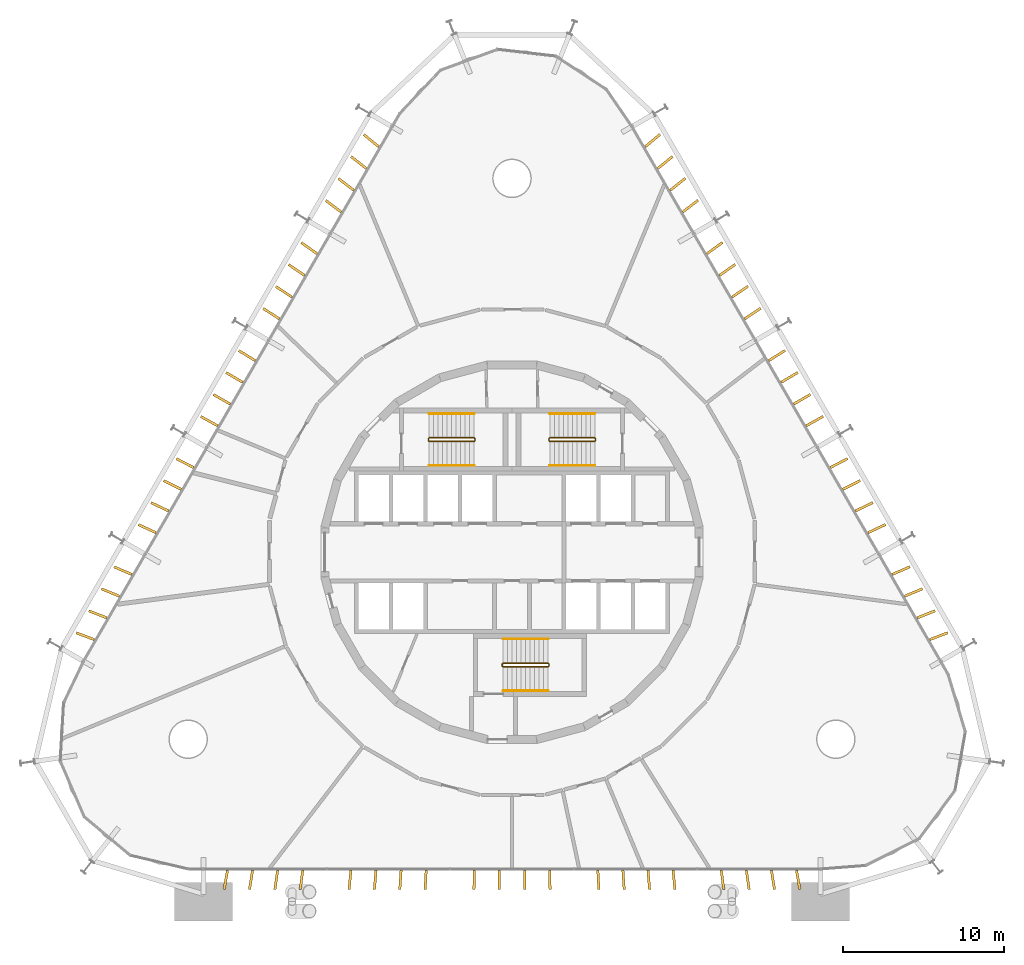
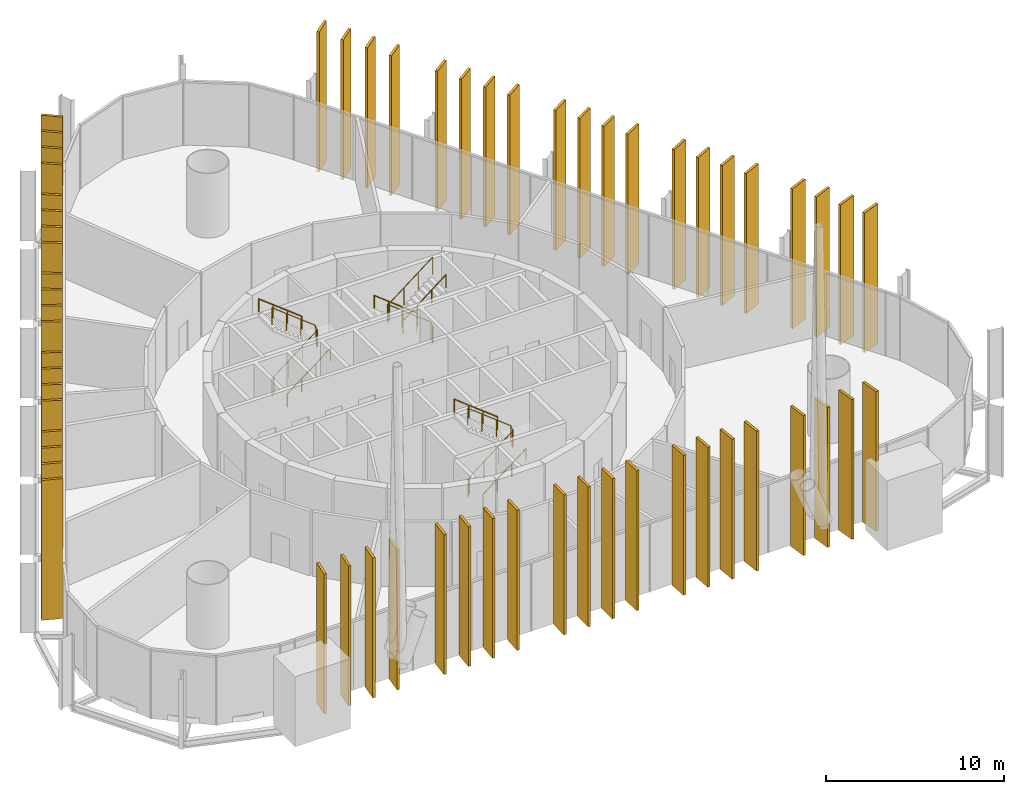
# One storey, part 18 of 18: 60 shading devices, 9 railings.
"""IFC4 building model written with IfcOpenShell, lengths in metres."""

from ifc_helpers import new_model, si_unit, direction, frame, origin, origin_2d, place, context, subcontext, project, spatial, rectangle, circle, extrude, material, layer, layer_set, type_object, element, save


model = new_model("IFC4")

# Units and contexts
model_context = context("Model", 3, precision=1e-05, world=origin(), true_north=direction((0.0, 1.0)))
body_context = subcontext(model_context, "Body", "Model", "MODEL_VIEW")
ifc_project = project(units=[si_unit("LENGTHUNIT", "METRE"), si_unit("AREAUNIT", "SQUARE_METRE"), si_unit("VOLUMEUNIT", "CUBIC_METRE"), si_unit("PLANEANGLEUNIT", "RADIAN"), si_unit("MASSUNIT", "GRAM", prefix="KILO")], contexts=[model_context])

# Site, building, storey
site_placement = place(None, origin())
site = spatial("IfcSite", under=ifc_project, at=site_placement, CompositionType="ELEMENT")
building_placement = place(site_placement, origin())
building = spatial("IfcBuilding", under=site, at=building_placement, Name="Spindle Arch Residences", CompositionType="ELEMENT")
storey_placement = place(building_placement, frame((0.0, 0.0, 9.0)))
storey = spatial("IfcBuildingStorey", under=building, at=storey_placement, Name="L01", CompositionType="ELEMENT", Elevation=9.0)

# Shading devices
ifc_material_1 = material(Name="Bronze anodised aluminium fin", Category="aluminium")
ifc_layer = layer(ifc_material_1, 0.159912109375)
ifc_layer_set = layer_set([ifc_layer], Name="Bronze brise-soleil fin 1200x160")
shading_device_type = type_object("IfcShadingDeviceType", Name="Bronze brise-soleil fin 1200x160", PredefinedType="USERDEFINED", material=ifc_layer_set)
for number, where, z_axis, x_axis, name in (
    (1, (5.371337890625, -20.38916015625, -0.380126953125), (0.0, 0.0, 1.0), (0.052314223859, -0.998630673463, 0.0), "Brise-soleil fin L01 1"),
    (2, (6.940673828125, -20.388427734375, -0.380126953125), (0.0, 0.0, 1.0), (0.067576496162, -0.997714095904, 0.0), "Brise-soleil fin L01 2"),
    (3, (8.509765625, -20.387939453125, -0.380126953125), (0.0, 0.0, 1.0), (0.082822970613, -0.996564275669, 0.0), "Brise-soleil fin L01 3"),
    (4, (10.078857421875, -20.386962890625, -0.380126953125), (0.0, 0.0, 1.0), (0.098050082969, -0.995181481555, 0.0), "Brise-soleil fin L01 4"),
    (5, (13.096435546875, -20.385009765625, -0.380126953125), (0.0, 0.0, 1.0), (0.127265042043, -0.99186874589, 0.0), "Brise-soleil fin L01 5"),
    (6, (14.66552734375, -20.3837890625, -0.380126953125), (0.0, 0.0, 1.0), (0.142415168158, -0.989807011431, 0.0), "Brise-soleil fin L01 6"),
    (7, (16.234619140625, -20.38232421875, -0.380126953125), (0.0, 0.0, 1.0), (0.157532000855, -0.987513882792, 0.0), "Brise-soleil fin L01 7"),
    (8, (17.8037109375, -20.380859375, -0.380126953125), (0.0, 0.0, 1.0), (0.1726120062, -0.984989896048, 0.0), "Brise-soleil fin L01 8"),
    (9, (26.549072265625, -5.2197265625, -0.380126953125), (0.0, 0.0, 1.0), (0.93416472233, 0.356842082096, 0.0), "Brise-soleil fin L01 9"),
    (10, (25.765869140625, -3.8603515625, -0.380126953125), (0.0, 0.0, 1.0), (0.928792020698, 0.370601379232, 0.0), "Brise-soleil fin L01 10"),
    (11, (24.982666015625, -2.501220703125, -0.380126953125), (0.0, 0.0, 1.0), (0.923216671339, 0.38427981701, 0.0), "Brise-soleil fin L01 11"),
    (12, (24.198974609375, -1.14208984375, -0.380126953125), (0.0, 0.0, 1.0), (0.917439890708, 0.397874411011, 0.0), "Brise-soleil fin L01 12"),
    (13, (22.692138671875, 1.471435546875, -0.380126953125), (0.0, 0.0, 1.0), (0.905769399533, 0.423770922634, 0.0), "Brise-soleil fin L01 13"),
    (14, (21.908203125, 2.83056640625, -0.380126953125), (0.0, 0.0, 1.0), (0.899411212724, 0.437103500817, 0.0), "Brise-soleil fin L01 14"),
    (15, (21.124267578125, 4.189453125, -0.380126953125), (0.0, 0.0, 1.0), (0.892856788616, 0.450340709932, 0.0), "Brise-soleil fin L01 15"),
    (16, (20.34033203125, 5.54833984375, -0.380126953125), (0.0, 0.0, 1.0), (0.88610755729, 0.463479661812, 0.0), "Brise-soleil fin L01 16"),
    (17, (18.83203125, 8.16162109375, -0.380126953125), (0.0, 0.0, 1.0), (0.872586393404, 0.488459810063, 0.0), "Brise-soleil fin L01 17"),
    (18, (18.0478515625, 9.520263671875, -0.380126953125), (0.0, 0.0, 1.0), (0.865276329293, 0.501295196431, 0.0), "Brise-soleil fin L01 18"),
    (19, (17.26318359375, 10.87890625, -0.380126953125), (0.0, 0.0, 1.0), (0.857777475585, 0.514021208102, 0.0), "Brise-soleil fin L01 19"),
    (20, (16.478515625, 12.237548828125, -0.380126953125), (0.0, 0.0, 1.0), (0.850091468393, 0.526635068493, 0.0), "Brise-soleil fin L01 20"),
    (21, (14.969482421875, 14.849853515625, -0.380126953125), (0.0, 0.0, 1.0), (0.834791101484, 0.550566814186, 0.0), "Brise-soleil fin L01 21"),
    (22, (14.1845703125, 16.208251953125, -0.380126953125), (0.0, 0.0, 1.0), (0.826567799356, 0.562837163901, 0.0), "Brise-soleil fin L01 22"),
    (23, (13.3994140625, 17.566650390625, -0.380126953125), (0.0, 0.0, 1.0), (0.8181641532, 0.574984711464, 0.0), "Brise-soleil fin L01 23"),
    (24, (12.6142578125, 18.9248046875, -0.380126953125), (0.0, 0.0, 1.0), (0.80958199657, 0.58700680646, 0.0), "Brise-soleil fin L01 24"),
    (25, (11.10400390625, 21.53662109375, -0.380126953125), (0.0, 0.0, 1.0), (0.792583300768, 0.609763652035, 0.0), "Brise-soleil fin L01 25"),
    (26, (10.318603515625, 22.89453125, -0.380126953125), (0.0, 0.0, 1.0), (0.783490227049, 0.621404106938, 0.0), "Brise-soleil fin L01 26"),
    (27, (9.532958984375, 24.25244140625, -0.380126953125), (0.0, 0.0, 1.0), (0.774226208146, 0.632908981308, 0.0), "Brise-soleil fin L01 27"),
    (28, (8.747314453125, 25.6103515625, -0.380126953125), (0.0, 0.0, 1.0), (0.764793265332, 0.644275764951, 0.0), "Brise-soleil fin L01 28"),
    (29, (-8.7529296875, 25.603759765625, -0.380126953125), (0.0, 0.0, 1.0), (-0.773979243078, 0.633210969018, 0.0), "Brise-soleil fin L01 29"),
    (30, (-9.538330078125, 24.24609375, -0.380126953125), (0.0, 0.0, 1.0), (-0.78294632463, 0.622089264293, 0.0), "Brise-soleil fin L01 30"),
    (31, (-10.323486328125, 22.88818359375, -0.380126953125), (0.0, 0.0, 1.0), (-0.791753606157, 0.61084059061, 0.0), "Brise-soleil fin L01 31"),
    (32, (-11.108642578125, 21.5302734375, -0.380126953125), (0.0, 0.0, 1.0), (-0.800399290077, 0.599467243846, 0.0), "Brise-soleil fin L01 32"),
    (33, (-12.618408203125, 18.9189453125, -0.380126953125), (0.0, 0.0, 1.0), (-0.816564708799, 0.577253909769, 0.0), "Brise-soleil fin L01 33"),
    (34, (-13.4033203125, 17.56103515625, -0.380126953125), (0.0, 0.0, 1.0), (-0.82472804065, 0.565529538544, 0.0), "Brise-soleil fin L01 34"),
    (35, (-14.188232421875, 16.202880859375, -0.380126953125), (0.0, 0.0, 1.0), (-0.832723044792, 0.553689742249, 0.0), "Brise-soleil fin L01 35"),
    (36, (-14.972900390625, 14.844482421875, -0.380126953125), (0.0, 0.0, 1.0), (-0.840548089439, 0.541736937397, 0.0), "Brise-soleil fin L01 36"),
    (37, (-16.481689453125, 12.232666015625, -0.380126953125), (0.0, 0.0, 1.0), (-0.85511249527, 0.518442494818, 0.0), "Brise-soleil fin L01 37"),
    (38, (-17.26611328125, 10.874267578125, -0.380126953125), (0.0, 0.0, 1.0), (-0.862431712076, 0.506173430758, 0.0), "Brise-soleil fin L01 38"),
    (39, (-18.05029296875, 9.515625, -0.380126953125), (0.0, 0.0, 1.0), (-0.869574905821, 0.493801056262, 0.0), "Brise-soleil fin L01 39"),
    (40, (-18.83447265625, 8.1572265625, -0.380126953125), (0.0, 0.0, 1.0), (-0.876540618574, 0.481327896543, 0.0), "Brise-soleil fin L01 40"),
    (41, (-20.34228515625, 5.544677734375, -0.380126953125), (0.0, 0.0, 1.0), (-0.889431994706, 0.457067529796, 0.0), "Brise-soleil fin L01 41"),
    (42, (-21.126220703125, 4.18603515625, -0.380126953125), (0.0, 0.0, 1.0), (-0.895870905022, 0.444314439936, 0.0), "Brise-soleil fin L01 42"),
    (43, (-21.909912109375, 2.8271484375, -0.380126953125), (0.0, 0.0, 1.0), (-0.902126967317, 0.431470665097, 0.0), "Brise-soleil fin L01 43"),
    (44, (-22.693603515625, 1.468505859375, -0.380126953125), (0.0, 0.0, 1.0), (-0.908198904716, 0.418538826721, 0.0), "Brise-soleil fin L01 44"),
    (45, (-24.2001953125, -1.144775390625, -0.380126953125), (0.0, 0.0, 1.0), (-0.919353506966, 0.393432496406, 0.0), "Brise-soleil fin L01 45"),
    (46, (-24.983642578125, -2.503662109375, -0.380126953125), (0.0, 0.0, 1.0), (-0.924880272236, 0.380258441101, 0.0), "Brise-soleil fin L01 46"),
    (47, (-25.766845703125, -3.862548828125, -0.380126953125), (0.0, 0.0, 1.0), (-0.930218268634, 0.367006774733, 0.0), "Brise-soleil fin L01 47"),
    (48, (-26.5498046875, -5.2216796875, -0.380126953125), (0.0, 0.0, 1.0), (-0.935366406682, 0.353680201949, 0.0), "Brise-soleil fin L01 48"),
    (49, (-17.8037109375, -20.380859375, -0.380126953125), (0.0, 0.0, 1.0), (-0.172612006286, -0.984989896032, 0.0), "Brise-soleil fin L01 49"),
    (50, (-16.234619140625, -20.38232421875, -0.380126953125), (0.0, 0.0, 1.0), (-0.157532000958, -0.987513882775, 0.0), "Brise-soleil fin L01 50"),
    (51, (-14.66552734375, -20.3837890625, -0.380126953125), (0.0, 0.0, 1.0), (-0.142415168244, -0.989807011419, 0.0), "Brise-soleil fin L01 51"),
    (52, (-13.096435546875, -20.385009765625, -0.380126953125), (0.0, 0.0, 1.0), (-0.127265042147, -0.991868745877, 0.0), "Brise-soleil fin L01 52"),
    (53, (-10.078857421875, -20.386962890625, -0.380126953125), (0.0, 0.0, 1.0), (-0.098050083056, -0.995181481546, 0.0), "Brise-soleil fin L01 53"),
    (54, (-8.509765625, -20.387939453125, -0.380126953125), (0.0, 0.0, 1.0), (-0.082822970717, -0.99656427566, 0.0), "Brise-soleil fin L01 54"),
    (55, (-6.940673828125, -20.388427734375, -0.380126953125), (0.0, 0.0, 1.0), (-0.067576496266, -0.997714095897, 0.0), "Brise-soleil fin L01 55"),
    (56, (-5.371337890625, -20.38916015625, -0.380126953125), (0.0, 0.0, 1.0), (-0.052314223963, -0.998630673458, 0.0), "Brise-soleil fin L01 56"),
    (57, (-2.353759765625, -20.3896484375, -0.380126953125), (0.0, 0.0, 1.0), (-0.022932868023, -0.9997370072, 0.0), "Brise-soleil fin L01 57"),
    (58, (-0.78466796875, -20.389892578125, -0.380126953125), (0.0, 0.0, 1.0), (-0.007644885103, -0.999970777439, 0.0), "Brise-soleil fin L01 58"),
    (59, (0.78466796875, -20.389892578125, -0.380126953125), (0.0, 0.0, 1.0), (0.007644884998, -0.99997077744, 0.0), "Brise-soleil fin L01 59"),
    (60, (2.353759765625, -20.3896484375, -0.380126953125), (0.0, 0.0, 1.0), (0.022932867918, -0.999737007202, 0.0), "Brise-soleil fin L01 60"),
):
    element("IfcShadingDevice", number, at=place(storey_placement, frame(where, z_axis=z_axis, x_axis=x_axis)), inside=storey, type_object=shading_device_type, Name=name, ObjectType="FIN", PredefinedType="USERDEFINED", context=body_context, shape_type="SweptSolid", body=[
        extrude(rectangle(XDim=1.199951171875, YDim=0.159912109375, at=origin_2d()), origin(), (0.0, 0.0, 1.0), 9.60009765625),
    ])

# Railings
ifc_material_2 = material(Name="Steel, painted", Category="steel")
railing_type_1 = type_object("IfcRailingType", Name="Stair guard 1100", PredefinedType="GUARDRAIL", material=ifc_material_2)
railing_1_placement = place(storey_placement, frame((5.14990234375, 6.89990234375, 4.800048828125)))
element("IfcRailing", 61, at=railing_1_placement, inside=storey, type_object=railing_type_1, Name="L01 ST1 stair guard 1", PredefinedType="GUARDRAIL", context=body_context, shape_type="SweptSolid", body=[
    extrude(circle(Radius=0.02392578125, at=origin_2d()), frame((0.0, 0.0, 1.17578125), z_axis=(-0.788770406814, 0.0, -0.614687925157), x_axis=(0.0, -1.0, 0.0)), (0.0, 0.0, 1.0), 3.549560546875),
    extrude(circle(Radius=0.02392578125, at=origin_2d()), frame((-2.7998046875, 0.0, -1.005859375), z_axis=(-0.218123866557, 0.218123866557, -0.951232861962), x_axis=(-0.707106781187, -0.707106781187, 0.0)), (0.0, 0.0, 1.0), 0.2294921875),
    extrude(circle(Radius=0.02392578125, at=origin_2d()), frame((-2.849853515625, 0.050048828125, -1.22412109375), z_axis=(0.0, 1.0, 0.0), x_axis=(-1.0, 0.0, 0.0)), (0.0, 0.0, 1.0), 0.1201171875),
    extrude(circle(Radius=0.02392578125, at=origin_2d()), frame((-2.849853515625, 0.170166015625, -1.22412109375), z_axis=(0.707106781187, 0.707106781187, 0.0), x_axis=(-0.707106781187, 0.707106781187, 0.0)), (0.0, 0.0, 1.0), 0.07080078125),
    extrude(circle(Radius=0.02392578125, at=origin_2d()), frame((-2.7998046875, 0.22021484375, -1.22412109375), z_axis=(0.788803754942, 0.0, -0.61464513029), x_axis=(0.0, 1.0, 0.0)), (0.0, 0.0, 1.0), 3.54931640625),
    extrude(circle(Radius=0.02392578125, at=origin_2d()), frame((0.0, 0.22021484375, -3.40576171875), z_axis=(0.218123866557, -0.218123866557, -0.951232861962), x_axis=(0.707106781187, 0.707106781187, 0.0)), (0.0, 0.0, 1.0), 0.2294921875),
    extrude(circle(Radius=0.02392578125, at=origin_2d()), frame((0.050048828125, 0.170166015625, -3.6240234375), z_axis=(0.0, -1.0, 0.0), x_axis=(1.0, 0.0, 0.0)), (0.0, 0.0, 1.0), 0.1201171875),
    extrude(circle(Radius=0.02099609375, at=origin_2d()), origin(), (0.0, 0.0, 1.0), 1.15185546875),
    extrude(circle(Radius=0.02099609375, at=origin_2d()), frame((-0.933349609375, 0.0, -0.727294921875)), (0.0, 0.0, 1.0), 1.15185546875),
    extrude(circle(Radius=0.02099609375, at=origin_2d()), frame((-1.866455078125, 0.0, -1.45458984375)), (0.0, 0.0, 1.0), 1.15185546875),
    extrude(circle(Radius=0.02099609375, at=origin_2d()), frame((-2.7998046875, 0.0, -2.181884765625)), (0.0, 0.0, 1.0), 1.15185546875),
    extrude(circle(Radius=0.02099609375, at=origin_2d()), frame((-2.849853515625, 0.050048828125, -2.400146484375)), (0.0, 0.0, 1.0), 1.15185546875),
    extrude(circle(Radius=0.02099609375, at=origin_2d()), frame((-2.849853515625, 0.170166015625, -2.400146484375)), (0.0, 0.0, 1.0), 1.15185546875),
    extrude(circle(Radius=0.02099609375, at=origin_2d()), frame((-2.7998046875, 0.22021484375, -2.400146484375)), (0.0, 0.0, 1.0), 1.15185546875),
    extrude(circle(Radius=0.02099609375, at=origin_2d()), frame((-1.866455078125, 0.22021484375, -3.12744140625)), (0.0, 0.0, 1.0), 1.15185546875),
    extrude(circle(Radius=0.02099609375, at=origin_2d()), frame((-0.933349609375, 0.22021484375, -3.8544921875)), (0.0, 0.0, 1.0), 1.15185546875),
    extrude(circle(Radius=0.02099609375, at=origin_2d()), frame((0.0, 0.22021484375, -4.581787109375)), (0.0, 0.0, 1.0), 1.15185546875),
    extrude(circle(Radius=0.02099609375, at=origin_2d()), frame((0.050048828125, 0.170166015625, -4.800048828125)), (0.0, 0.0, 1.0), 1.15185546875),
    extrude(circle(Radius=0.02099609375, at=origin_2d()), frame((0.050048828125, 0.050048828125, -4.800048828125)), (0.0, 0.0, 1.0), 1.15185546875),
])
railing_2_placement = place(storey_placement, frame((-5.14990234375, 7.1201171875, 4.800048828125)))
element("IfcRailing", 62, at=railing_2_placement, inside=storey, type_object=railing_type_1, Name="L01 ST2 stair guard 1", PredefinedType="GUARDRAIL", context=body_context, shape_type="SweptSolid", body=[
    extrude(circle(Radius=0.02392578125, at=origin_2d()), frame((0.0, 0.0, 1.17578125), z_axis=(0.788770406814, 0.0, -0.614687925157), x_axis=(0.0, 1.0, 0.0)), (0.0, 0.0, 1.0), 3.549560546875),
    extrude(circle(Radius=0.02392578125, at=origin_2d()), frame((2.7998046875, 0.0, -1.005859375), z_axis=(0.218123866557, -0.218123866557, -0.951232861962), x_axis=(0.707106781187, 0.707106781187, 0.0)), (0.0, 0.0, 1.0), 0.2294921875),
    extrude(circle(Radius=0.02392578125, at=origin_2d()), frame((2.849853515625, -0.050048828125, -1.22412109375), z_axis=(0.0, -1.0, 0.0), x_axis=(1.0, 0.0, 0.0)), (0.0, 0.0, 1.0), 0.1201171875),
    extrude(circle(Radius=0.02392578125, at=origin_2d()), frame((2.849853515625, -0.170166015625, -1.22412109375), z_axis=(-0.707106781187, -0.707106781187, 0.0), x_axis=(0.707106781187, -0.707106781187, 0.0)), (0.0, 0.0, 1.0), 0.07080078125),
    extrude(circle(Radius=0.02392578125, at=origin_2d()), frame((2.7998046875, -0.22021484375, -1.22412109375), z_axis=(-0.788803754942, 0.0, -0.61464513029), x_axis=(0.0, -1.0, 0.0)), (0.0, 0.0, 1.0), 3.54931640625),
    extrude(circle(Radius=0.02392578125, at=origin_2d()), frame((0.0, -0.22021484375, -3.40576171875), z_axis=(-0.218123866557, 0.218123866557, -0.951232861962), x_axis=(-0.707106781187, -0.707106781187, 0.0)), (0.0, 0.0, 1.0), 0.2294921875),
    extrude(circle(Radius=0.02392578125, at=origin_2d()), frame((-0.050048828125, -0.170166015625, -3.6240234375), z_axis=(0.0, 1.0, 0.0), x_axis=(-1.0, 0.0, 0.0)), (0.0, 0.0, 1.0), 0.1201171875),
    extrude(circle(Radius=0.02099609375, at=origin_2d()), origin(), (0.0, 0.0, 1.0), 1.15185546875),
    extrude(circle(Radius=0.02099609375, at=origin_2d()), frame((0.933349609375, 0.0, -0.727294921875)), (0.0, 0.0, 1.0), 1.15185546875),
    extrude(circle(Radius=0.02099609375, at=origin_2d()), frame((1.866455078125, 0.0, -1.45458984375)), (0.0, 0.0, 1.0), 1.15185546875),
    extrude(circle(Radius=0.02099609375, at=origin_2d()), frame((2.7998046875, 0.0, -2.181884765625)), (0.0, 0.0, 1.0), 1.15185546875),
    extrude(circle(Radius=0.02099609375, at=origin_2d()), frame((2.849853515625, -0.050048828125, -2.400146484375)), (0.0, 0.0, 1.0), 1.15185546875),
    extrude(circle(Radius=0.02099609375, at=origin_2d()), frame((2.849853515625, -0.170166015625, -2.400146484375)), (0.0, 0.0, 1.0), 1.15185546875),
    extrude(circle(Radius=0.02099609375, at=origin_2d()), frame((2.7998046875, -0.22021484375, -2.400146484375)), (0.0, 0.0, 1.0), 1.15185546875),
    extrude(circle(Radius=0.02099609375, at=origin_2d()), frame((1.866455078125, -0.22021484375, -3.12744140625)), (0.0, 0.0, 1.0), 1.15185546875),
    extrude(circle(Radius=0.02099609375, at=origin_2d()), frame((0.933349609375, -0.22021484375, -3.8544921875)), (0.0, 0.0, 1.0), 1.15185546875),
    extrude(circle(Radius=0.02099609375, at=origin_2d()), frame((0.0, -0.22021484375, -4.581787109375)), (0.0, 0.0, 1.0), 1.15185546875),
    extrude(circle(Radius=0.02099609375, at=origin_2d()), frame((-0.050048828125, -0.170166015625, -4.800048828125)), (0.0, 0.0, 1.0), 1.15185546875),
    extrude(circle(Radius=0.02099609375, at=origin_2d()), frame((-0.050048828125, -0.050048828125, -4.800048828125)), (0.0, 0.0, 1.0), 1.15185546875),
])
railing_3_placement = place(storey_placement, frame((-0.550048828125, -6.89990234375, 4.800048828125)))
element("IfcRailing", 63, at=railing_3_placement, inside=storey, type_object=railing_type_1, Name="L01 ST3 stair guard 1", PredefinedType="GUARDRAIL", context=body_context, shape_type="SweptSolid", body=[
    extrude(circle(Radius=0.02392578125, at=origin_2d()), frame((0.0, 0.0, 1.17578125), z_axis=(0.788796392666, 0.0, -0.614654578538), x_axis=(0.0, 1.0, 0.0)), (0.0, 0.0, 1.0), 3.5498046875),
    extrude(circle(Radius=0.02392578125, at=origin_2d()), frame((2.800048828125, 0.0, -1.005859375), z_axis=(0.218123866557, -0.218123866557, -0.951232861962), x_axis=(0.707106781187, 0.707106781187, 0.0)), (0.0, 0.0, 1.0), 0.2294921875),
    extrude(circle(Radius=0.02392578125, at=origin_2d()), frame((2.85009765625, -0.050048828125, -1.22412109375), z_axis=(0.0, -1.0, 0.0), x_axis=(1.0, 0.0, 0.0)), (0.0, 0.0, 1.0), 0.1201171875),
    extrude(circle(Radius=0.02392578125, at=origin_2d()), frame((2.85009765625, -0.170166015625, -1.22412109375), z_axis=(-0.707106781187, -0.707106781187, 0.0), x_axis=(0.707106781187, -0.707106781187, 0.0)), (0.0, 0.0, 1.0), 0.07080078125),
    extrude(circle(Radius=0.02392578125, at=origin_2d()), frame((2.800048828125, -0.22021484375, -1.22412109375), z_axis=(-0.788829738274, 0.0, -0.614611783173), x_axis=(0.0, -1.0, 0.0)), (0.0, 0.0, 1.0), 3.549560546875),
    extrude(circle(Radius=0.02392578125, at=origin_2d()), frame((0.0, -0.22021484375, -3.40576171875), z_axis=(-0.218123866557, 0.218123866557, -0.951232861962), x_axis=(-0.707106781187, -0.707106781187, 0.0)), (0.0, 0.0, 1.0), 0.2294921875),
    extrude(circle(Radius=0.02392578125, at=origin_2d()), frame((-0.050048828125, -0.170166015625, -3.6240234375), z_axis=(0.0, 1.0, 0.0), x_axis=(-1.0, 0.0, 0.0)), (0.0, 0.0, 1.0), 0.1201171875),
    extrude(circle(Radius=0.02099609375, at=origin_2d()), origin(), (0.0, 0.0, 1.0), 1.15185546875),
    extrude(circle(Radius=0.02099609375, at=origin_2d()), frame((0.933349609375, 0.0, -0.727294921875)), (0.0, 0.0, 1.0), 1.15185546875),
    extrude(circle(Radius=0.02099609375, at=origin_2d()), frame((1.86669921875, 0.0, -1.45458984375)), (0.0, 0.0, 1.0), 1.15185546875),
    extrude(circle(Radius=0.02099609375, at=origin_2d()), frame((2.800048828125, 0.0, -2.181884765625)), (0.0, 0.0, 1.0), 1.15185546875),
    extrude(circle(Radius=0.02099609375, at=origin_2d()), frame((2.85009765625, -0.050048828125, -2.400146484375)), (0.0, 0.0, 1.0), 1.15185546875),
    extrude(circle(Radius=0.02099609375, at=origin_2d()), frame((2.85009765625, -0.170166015625, -2.400146484375)), (0.0, 0.0, 1.0), 1.15185546875),
    extrude(circle(Radius=0.02099609375, at=origin_2d()), frame((2.800048828125, -0.22021484375, -2.400146484375)), (0.0, 0.0, 1.0), 1.15185546875),
    extrude(circle(Radius=0.02099609375, at=origin_2d()), frame((1.86669921875, -0.22021484375, -3.12744140625)), (0.0, 0.0, 1.0), 1.15185546875),
    extrude(circle(Radius=0.02099609375, at=origin_2d()), frame((0.933349609375, -0.22021484375, -3.8544921875)), (0.0, 0.0, 1.0), 1.15185546875),
    extrude(circle(Radius=0.02099609375, at=origin_2d()), frame((0.0, -0.22021484375, -4.581787109375)), (0.0, 0.0, 1.0), 1.15185546875),
    extrude(circle(Radius=0.02099609375, at=origin_2d()), frame((-0.050048828125, -0.170166015625, -4.800048828125)), (0.0, 0.0, 1.0), 1.15185546875),
    extrude(circle(Radius=0.02099609375, at=origin_2d()), frame((-0.050048828125, -0.050048828125, -4.800048828125)), (0.0, 0.0, 1.0), 1.15185546875),
])
ifc_material_3 = material(Name="Steel, painted", Category="steel")
railing_type_2 = type_object("IfcRailingType", Name="Stair handrail 900", PredefinedType="HANDRAIL", material=ifc_material_3)
railing_4_placement = place(storey_placement, frame((5.14990234375, 8.6201171875, 0.21826171875)))
element("IfcRailing", 64, at=railing_4_placement, inside=storey, type_object=railing_type_2, Name="L01 ST1 stair handrail 1", PredefinedType="HANDRAIL", context=body_context, shape_type="SweptSolid", body=[
    extrude(circle(Radius=0.02392578125, at=origin_2d()), frame((0.0, 0.0, 0.8759765625), z_axis=(-0.788803754942, 0.0, 0.61464513029), x_axis=(0.0, -1.0, 0.0)), (0.0, 0.0, 1.0), 3.54931640625),
    extrude(circle(Radius=0.02099609375, at=origin_2d()), origin(), (0.0, 0.0, 1.0), 0.851806640625),
    extrude(circle(Radius=0.02099609375, at=origin_2d()), frame((-0.933349609375, 0.0, 0.727294921875)), (0.0, 0.0, 1.0), 0.851806640625),
    extrude(circle(Radius=0.02099609375, at=origin_2d()), frame((-1.866455078125, 0.0, 1.454345703125)), (0.0, 0.0, 1.0), 0.851806640625),
    extrude(circle(Radius=0.02099609375, at=origin_2d()), frame((-2.7998046875, 0.0, 2.181640625)), (0.0, 0.0, 1.0), 0.851806640625),
])
railing_5_placement = place(storey_placement, frame((2.35009765625, 5.39990234375, 2.6181640625)))
element("IfcRailing", 65, at=railing_5_placement, inside=storey, type_object=railing_type_2, Name="L01 ST1 stair handrail 2", PredefinedType="HANDRAIL", context=body_context, shape_type="SweptSolid", body=[
    extrude(circle(Radius=0.02392578125, at=origin_2d()), frame((0.0, 0.0, 0.8759765625), z_axis=(0.788770406814, 0.0, 0.614687925157), x_axis=(0.0, 1.0, 0.0)), (0.0, 0.0, 1.0), 3.549560546875),
    extrude(circle(Radius=0.02099609375, at=origin_2d()), origin(), (0.0, 0.0, 1.0), 0.851806640625),
    extrude(circle(Radius=0.02099609375, at=origin_2d()), frame((0.933349609375, 0.0, 0.727294921875)), (0.0, 0.0, 1.0), 0.851806640625),
    extrude(circle(Radius=0.02099609375, at=origin_2d()), frame((1.866455078125, 0.0, 1.45458984375)), (0.0, 0.0, 1.0), 0.851806640625),
    extrude(circle(Radius=0.02099609375, at=origin_2d()), frame((2.7998046875, 0.0, 2.181884765625)), (0.0, 0.0, 1.0), 0.851806640625),
])
railing_6_placement = place(storey_placement, frame((-5.14990234375, 5.39990234375, 0.21826171875)))
element("IfcRailing", 66, at=railing_6_placement, inside=storey, type_object=railing_type_2, Name="L01 ST2 stair handrail 1", PredefinedType="HANDRAIL", context=body_context, shape_type="SweptSolid", body=[
    extrude(circle(Radius=0.02392578125, at=origin_2d()), frame((0.0, 0.0, 0.8759765625), z_axis=(0.788803754942, 0.0, 0.61464513029), x_axis=(0.0, 1.0, 0.0)), (0.0, 0.0, 1.0), 3.54931640625),
    extrude(circle(Radius=0.02099609375, at=origin_2d()), origin(), (0.0, 0.0, 1.0), 0.851806640625),
    extrude(circle(Radius=0.02099609375, at=origin_2d()), frame((0.933349609375, 0.0, 0.727294921875)), (0.0, 0.0, 1.0), 0.851806640625),
    extrude(circle(Radius=0.02099609375, at=origin_2d()), frame((1.866455078125, 0.0, 1.454345703125)), (0.0, 0.0, 1.0), 0.851806640625),
    extrude(circle(Radius=0.02099609375, at=origin_2d()), frame((2.7998046875, 0.0, 2.181640625)), (0.0, 0.0, 1.0), 0.851806640625),
])
railing_7_placement = place(storey_placement, frame((-2.35009765625, 8.6201171875, 2.6181640625)))
element("IfcRailing", 67, at=railing_7_placement, inside=storey, type_object=railing_type_2, Name="L01 ST2 stair handrail 2", PredefinedType="HANDRAIL", context=body_context, shape_type="SweptSolid", body=[
    extrude(circle(Radius=0.02392578125, at=origin_2d()), frame((0.0, 0.0, 0.8759765625), z_axis=(-0.788770406814, 0.0, 0.614687925157), x_axis=(0.0, -1.0, 0.0)), (0.0, 0.0, 1.0), 3.549560546875),
    extrude(circle(Radius=0.02099609375, at=origin_2d()), origin(), (0.0, 0.0, 1.0), 0.851806640625),
    extrude(circle(Radius=0.02099609375, at=origin_2d()), frame((-0.933349609375, 0.0, 0.727294921875)), (0.0, 0.0, 1.0), 0.851806640625),
    extrude(circle(Radius=0.02099609375, at=origin_2d()), frame((-1.866455078125, 0.0, 1.45458984375)), (0.0, 0.0, 1.0), 0.851806640625),
    extrude(circle(Radius=0.02099609375, at=origin_2d()), frame((-2.7998046875, 0.0, 2.181884765625)), (0.0, 0.0, 1.0), 0.851806640625),
])
railing_8_placement = place(storey_placement, frame((-0.550048828125, -8.6201171875, 0.21826171875)))
element("IfcRailing", 68, at=railing_8_placement, inside=storey, type_object=railing_type_2, Name="L01 ST3 stair handrail 1", PredefinedType="HANDRAIL", context=body_context, shape_type="SweptSolid", body=[
    extrude(circle(Radius=0.02392578125, at=origin_2d()), frame((0.0, 0.0, 0.8759765625), z_axis=(0.788829738274, 0.0, 0.614611783173), x_axis=(0.0, 1.0, 0.0)), (0.0, 0.0, 1.0), 3.549560546875),
    extrude(circle(Radius=0.02099609375, at=origin_2d()), origin(), (0.0, 0.0, 1.0), 0.851806640625),
    extrude(circle(Radius=0.02099609375, at=origin_2d()), frame((0.933349609375, 0.0, 0.727294921875)), (0.0, 0.0, 1.0), 0.851806640625),
    extrude(circle(Radius=0.02099609375, at=origin_2d()), frame((1.86669921875, 0.0, 1.454345703125)), (0.0, 0.0, 1.0), 0.851806640625),
    extrude(circle(Radius=0.02099609375, at=origin_2d()), frame((2.800048828125, 0.0, 2.181640625)), (0.0, 0.0, 1.0), 0.851806640625),
])
railing_9_placement = place(storey_placement, frame((2.25, -5.39990234375, 2.6181640625)))
element("IfcRailing", 69, at=railing_9_placement, inside=storey, type_object=railing_type_2, Name="L01 ST3 stair handrail 2", PredefinedType="HANDRAIL", context=body_context, shape_type="SweptSolid", body=[
    extrude(circle(Radius=0.02392578125, at=origin_2d()), frame((0.0, 0.0, 0.8759765625), z_axis=(-0.788796392666, 0.0, 0.614654578538), x_axis=(0.0, -1.0, 0.0)), (0.0, 0.0, 1.0), 3.5498046875),
    extrude(circle(Radius=0.02099609375, at=origin_2d()), origin(), (0.0, 0.0, 1.0), 0.851806640625),
    extrude(circle(Radius=0.02099609375, at=origin_2d()), frame((-0.933349609375, 0.0, 0.727294921875)), (0.0, 0.0, 1.0), 0.851806640625),
    extrude(circle(Radius=0.02099609375, at=origin_2d()), frame((-1.86669921875, 0.0, 1.45458984375)), (0.0, 0.0, 1.0), 0.851806640625),
    extrude(circle(Radius=0.02099609375, at=origin_2d()), frame((-2.800048828125, 0.0, 2.181884765625)), (0.0, 0.0, 1.0), 0.851806640625),
])

save(model, "model.ifc")
